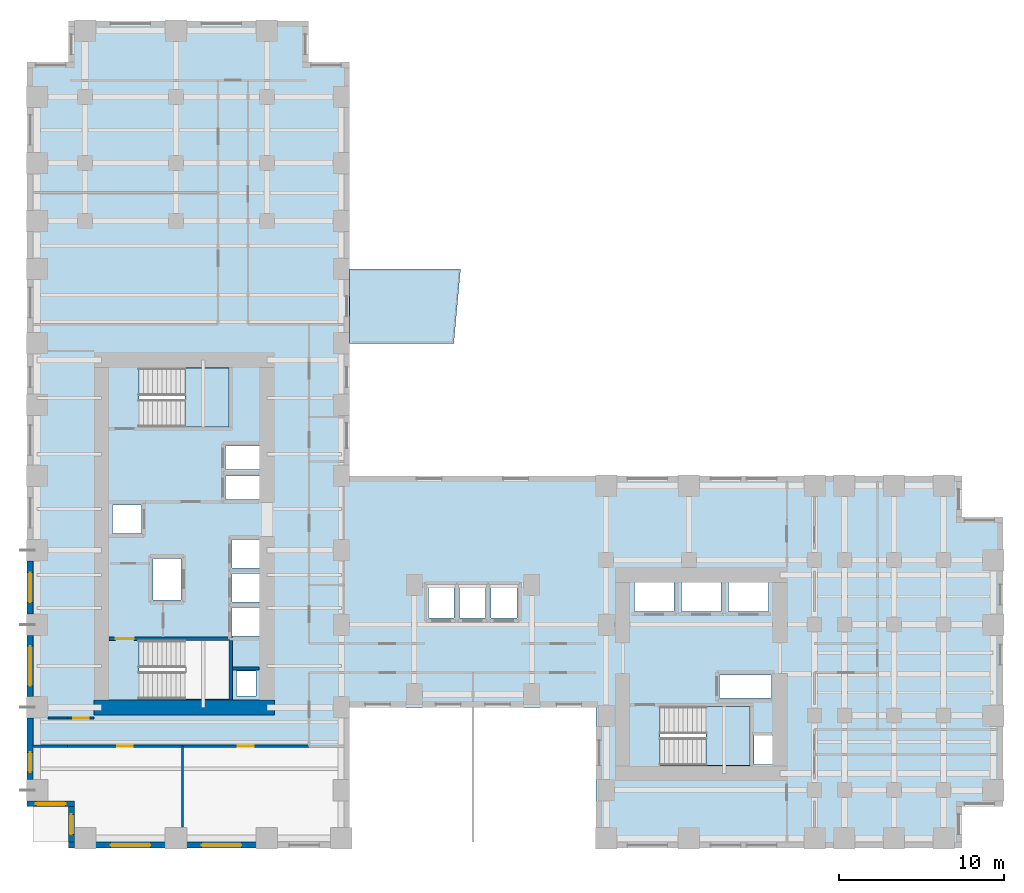
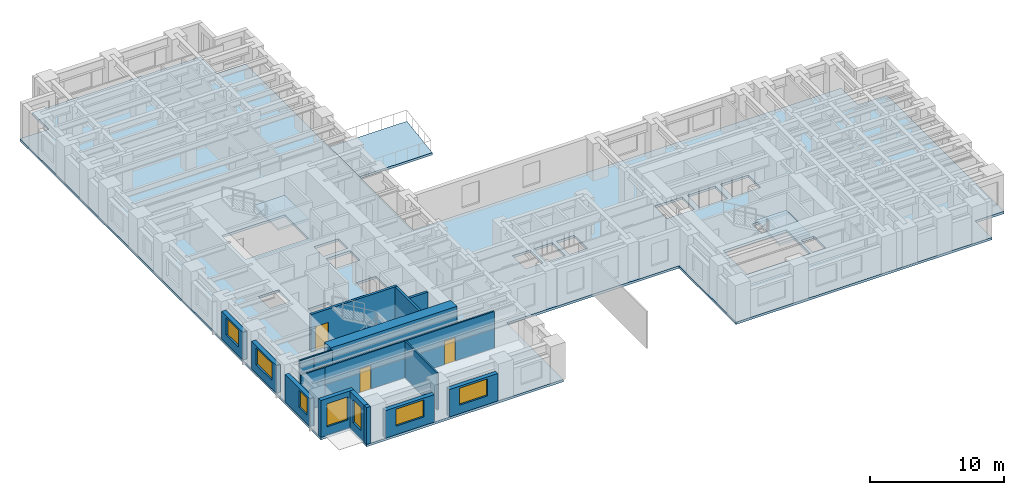
# One storey, part 3 of 11: 18 walls, 7 windows, 4 doors, 4 slabs, 11 openings, 2 elements without a shape of their own.
"""IFC4 building model written with IfcOpenShell, lengths in metres."""

import ifcopenshell
import ifcopenshell.guid

model = None  # the IFC model being written
_history = None  # IfcOwnerHistory: only IFC2X3 demands one
_inside = {}  # id of a spatial element -> (the spatial element, [elements in it])
_under = {}  # id of a project, library or spatial element -> (it, [spatial elements below it])
_declared = {}  # id of a project -> (the project, [libraries it declares])
_typed = {}  # id of a type object -> (the type object, [elements of that type])
_made_of = {}  # id of a material, layer set ... -> (it, [elements and type objects made of it])


def new_model(schema):
    """Start an empty IFC model of exactly this schema.

    Asked for "IFC4X3", IfcOpenShell would pick the latest addendum, in which some entities
    have other attributes; the version numbers below select the first issue.
    IFC2X3 requires an IfcOwnerHistory on every rooted entity: one is made here for all.
    """
    global model, _history
    if schema == "IFC4X3":
        model = ifcopenshell.file(schema_version=(4, 3, 0, 0))
    else:
        model = ifcopenshell.file(schema=schema)
    _inside.clear()
    _under.clear()
    _declared.clear()
    _typed.clear()
    _made_of.clear()
    _history = None
    if model.schema == "IFC2X3":
        org = make("IfcOrganization", Name="unknown")
        user = make(
            "IfcPersonAndOrganization",
            ThePerson=make("IfcPerson", FamilyName="unknown"),
            TheOrganization=org,
        )
        app = make(
            "IfcApplication",
            ApplicationDeveloper=org,
            Version="unknown",
            ApplicationFullName="unknown",
            ApplicationIdentifier="unknown",
        )
        _history = make(
            "IfcOwnerHistory",
            OwningUser=user,
            OwningApplication=app,
            ChangeAction="ADDED",
            CreationDate=0,
        )
    return model


def make(cls, **values):
    """One entity of the class cls with the attributes given. An attribute that is None is left unset."""
    return model.create_entity(
        cls, **{name: value for name, value in values.items() if value is not None}
    )


def rooted(cls, **values):
    """An entity with a GlobalId (a new one), such as an element, a storey or a relation."""
    return make(cls, GlobalId=ifcopenshell.guid.new(), OwnerHistory=_history, **values)


def si_unit(unit_type, name, prefix=None):
    """IfcSIUnit, for example si_unit("LENGTHUNIT", "METRE", prefix="MILLI")."""
    return make("IfcSIUnit", UnitType=unit_type, Prefix=prefix, Name=name)


def assignment(units):
    """IfcUnitAssignment: the units of a project."""
    return None if units is None else make("IfcUnitAssignment", Units=units)


def point(xyz):
    """IfcCartesianPoint."""
    return None if xyz is None else make("IfcCartesianPoint", Coordinates=xyz)


def direction(xyz):
    """IfcDirection."""
    return None if xyz is None else make("IfcDirection", DirectionRatios=xyz)


def frame(location, z_axis=None, x_axis=None):
    """IfcAxis2Placement3D, a coordinate frame: its origin and axes. An axis left out is left unset."""
    return make(
        "IfcAxis2Placement3D",
        Location=point(location),
        Axis=direction(z_axis),
        RefDirection=direction(x_axis),
    )


def frame_2d(location, x_axis=None):
    """IfcAxis2Placement2D, a coordinate frame in the plane: its origin and x axis."""
    return make(
        "IfcAxis2Placement2D", Location=point(location), RefDirection=direction(x_axis)
    )


def origin():
    """The frame at (0, 0, 0) with its axes left unset."""
    return frame((0.0, 0.0, 0.0))


def place(relative_to, where):
    """IfcLocalPlacement: puts the frame where relative to a parent placement (None: the world)."""
    return make(
        "IfcLocalPlacement", PlacementRelTo=relative_to, RelativePlacement=where
    )


def context(
    kind, dimensions, precision=None, world=None, true_north=None, identifier=None
):
    """IfcGeometricRepresentationContext, for example the 3D "Model" context."""
    return make(
        "IfcGeometricRepresentationContext",
        ContextIdentifier=identifier,
        ContextType=kind,
        CoordinateSpaceDimension=dimensions,
        Precision=precision,
        WorldCoordinateSystem=world,
        TrueNorth=true_north,
    )


def subcontext(parent, identifier, kind, view, scale=None):
    """IfcGeometricRepresentationSubContext, for example "Body" below "Model"."""
    return make(
        "IfcGeometricRepresentationSubContext",
        ContextIdentifier=identifier,
        ContextType=kind,
        ParentContext=parent,
        TargetScale=scale,
        TargetView=view,
    )


def project(units=None, contexts=None):
    """IfcProject with its units and contexts."""
    return rooted(
        "IfcProject",
        Name="project",
        RepresentationContexts=contexts,
        UnitsInContext=assignment(units),
    )


def spatial(cls, under=None, at=None, **own):
    """A site, building, storey or space (cls), placed at a placement, below another one or the project."""
    s = rooted(cls, ObjectPlacement=at, **own)
    if under is not None:
        _under.setdefault(under.id(), (under, []))[1].append(s)
    return s


def polyline(points):
    """IfcPolyline through the points."""
    return make("IfcPolyline", Points=[point(p) for p in points])


def profile(cls, at=None, kind="AREA", **sizes):
    """A parametric profile (cls). Its sizes go by their IFC names, for example OverallWidth=200.0."""
    return make(cls, ProfileType=kind, Position=at, **sizes)


def rectangle(**sizes):
    """IfcRectangleProfileDef."""
    return profile("IfcRectangleProfileDef", **sizes)


def outline(outer, holes=None, kind="AREA"):
    """IfcArbitraryClosedProfileDef: a profile drawn as a closed curve; with holes, ...WithVoids."""
    if holes is None:
        return make("IfcArbitraryClosedProfileDef", ProfileType=kind, OuterCurve=outer)
    return make(
        "IfcArbitraryProfileDefWithVoids",
        ProfileType=kind,
        OuterCurve=outer,
        InnerCurves=holes,
    )


def extrude(swept, where, along, depth):
    """IfcExtrudedAreaSolid: the profile swept, set in the frame where, extruded along a direction by depth."""
    return make(
        "IfcExtrudedAreaSolid",
        SweptArea=swept,
        Position=where,
        ExtrudedDirection=direction(along),
        Depth=depth,
    )


def shape(context_of_items, identifier, shape_type, items):
    """IfcShapeRepresentation: the items that make up one representation, for example the "Body"."""
    return make(
        "IfcShapeRepresentation",
        ContextOfItems=context_of_items,
        RepresentationIdentifier=identifier,
        RepresentationType=shape_type,
        Items=items,
    )


def source(mapping_origin, context_of_items, identifier, shape_type, items):
    """IfcRepresentationMap: a shape defined once, which mapped items show again and again."""
    return make(
        "IfcRepresentationMap",
        MappingOrigin=mapping_origin,
        MappedRepresentation=shape(context_of_items, identifier, shape_type, items),
    )


def transform(
    local_origin,
    x_axis=None,
    y_axis=None,
    z_axis=None,
    scale=None,
    scale2=None,
    scale3=None,
    uniform=True,
):
    """IfcCartesianTransformationOperator3D, or its non-uniform kind. x_axis, y_axis, z_axis: its Axis1, 2, 3."""
    if uniform:
        return make(
            "IfcCartesianTransformationOperator3D",
            Axis1=direction(x_axis),
            Axis2=direction(y_axis),
            LocalOrigin=point(local_origin),
            Scale=scale,
            Axis3=direction(z_axis),
        )
    return make(
        "IfcCartesianTransformationOperator3DnonUniform",
        Axis1=direction(x_axis),
        Axis2=direction(y_axis),
        LocalOrigin=point(local_origin),
        Scale=scale,
        Axis3=direction(z_axis),
        Scale2=scale2,
        Scale3=scale3,
    )


def mapped(mapping_source, mapping_target):
    """IfcMappedItem: shows the shape of a source again, moved by a transform."""
    return make(
        "IfcMappedItem", MappingSource=mapping_source, MappingTarget=mapping_target
    )


def material(Name=None, Category=None):
    """IfcMaterial."""
    return make("IfcMaterial", Name=Name, Category=Category)


def layer(
    of_material, thickness, ventilated=None, Name=None, Category=None, Priority=None
):
    """IfcMaterialLayer: one layer of a wall or slab, of a material (None: an air gap)."""
    return make(
        "IfcMaterialLayer",
        Material=of_material,
        LayerThickness=thickness,
        IsVentilated=ventilated,
        Name=Name,
        Category=Category,
        Priority=Priority,
    )


def layer_set(layers, Name=None):
    """IfcMaterialLayerSet."""
    return make("IfcMaterialLayerSet", MaterialLayers=layers, LayerSetName=Name)


def made_of(thing, what):
    """Note that an element or type object is made of a material, layer set ...; save() writes the relation."""
    if what is not None:
        _made_of.setdefault(what.id(), (what, []))[1].append(thing)
    return thing


def type_object(cls, material=None, **own):
    """A type object (cls), such as IfcWallType, which elements share."""
    return made_of(rooted(cls, **own), material)


def element(
    cls,
    number,
    at=None,
    inside=None,
    cuts=None,
    type_object=None,
    material=None,
    context=None,
    identifier="Body",
    shape_type=None,
    held_by="IfcProductDefinitionShape",
    body=None,
    shapes=None,
    **own,
):
    """One element of the class cls, such as IfcWall. Its Tag is "e" and its number.

    at: its placement. inside: the storey or other place that contains it. cuts: it is an
    opening in that element (IfcRelVoidsElement). A single representation is given by context,
    identifier, shape_type and body (its items); several are given by shapes. held_by: the class
    of the entity that holds the representations. save() writes the other relations.
    """
    e = rooted(cls, Tag="e%d" % number, ObjectPlacement=at, **own)
    if body is not None:
        shapes = [shape(context, identifier, shape_type, body)]
    if shapes is not None:
        e.Representation = make(held_by, Representations=shapes)
    if inside is not None:
        _inside.setdefault(inside.id(), (inside, []))[1].append(e)
    if cuts is not None:
        rooted(
            "IfcRelVoidsElement", RelatingBuildingElement=cuts, RelatedOpeningElement=e
        )
    if type_object is not None:
        _typed.setdefault(type_object.id(), (type_object, []))[1].append(e)
    return made_of(e, material)


def fill(opening, filler):
    """IfcRelFillsElement: the door or window that sits in an opening."""
    return rooted(
        "IfcRelFillsElement",
        RelatingOpeningElement=opening,
        RelatedBuildingElement=filler,
    )


def aggregate(whole, parts):
    """IfcRelAggregates: a whole, such as a stair, and the parts it consists of."""
    return rooted("IfcRelAggregates", RelatingObject=whole, RelatedObjects=parts)


def save(model, path):
    """Write the relations noted so far, then the file.

    IfcRelAggregates (storeys below a building ...), IfcRelContainedInSpatialStructure (elements
    in a storey), IfcRelDefinesByType, IfcRelAssociatesMaterial and IfcRelDeclares: one each for
    every whole, place, type object, material and project.
    """
    for whole, parts in _under.values():
        aggregate(whole, parts)
    for where, things in _inside.values():
        rooted(
            "IfcRelContainedInSpatialStructure",
            RelatedElements=things,
            RelatingStructure=where,
        )
    for kind, things in _typed.values():
        rooted("IfcRelDefinesByType", RelatedObjects=things, RelatingType=kind)
    for what, things in _made_of.values():
        rooted("IfcRelAssociatesMaterial", RelatedObjects=things, RelatingMaterial=what)
    for by, libraries in _declared.values():
        rooted("IfcRelDeclares", RelatingContext=by, RelatedDefinitions=libraries)
    model.write(path)


model = new_model("IFC4")

# Units and contexts
model_context = context("Model", 3, precision=1e-05, world=origin(), true_north=direction((0.0, 1.0)))
body_context = subcontext(model_context, "Body", "Model", "MODEL_VIEW")
ifc_project = project(units=[si_unit("LENGTHUNIT", "METRE"), si_unit("AREAUNIT", "SQUARE_METRE"), si_unit("VOLUMEUNIT", "CUBIC_METRE"), si_unit("PLANEANGLEUNIT", "RADIAN"), si_unit("MASSUNIT", "GRAM", prefix="KILO")], contexts=[model_context])

# Site, building, storey
site_placement = place(None, origin())
site = spatial("IfcSite", under=ifc_project, at=site_placement, CompositionType="ELEMENT")
building_placement = place(site_placement, origin())
building = spatial("IfcBuilding", under=site, at=building_placement, Name="Kharzan Plaza Tower", CompositionType="ELEMENT")
storey_placement = place(building_placement, frame((0.0, 0.0, 40.5)))
storey = spatial("IfcBuildingStorey", under=building, at=storey_placement, Name="L10", CompositionType="ELEMENT", Elevation=40.5)

# Slab
ifc_material_1 = material(Name="Concrete C40/50", Category="concrete")
ifc_layer_1 = layer(ifc_material_1, 0.219970703125)
ifc_layer_set_1 = layer_set([ifc_layer_1], Name="Concrete C40/50")
slab_type_1 = type_object("IfcSlabType", Name="SL-FLOOR-220", PredefinedType="FLOOR", material=ifc_layer_set_1)
slab_1_placement = place(storey_placement, frame((0.0, 0.0, -0.219970703125)))
element("IfcSlab", 1, at=slab_1_placement, inside=storey, type_object=slab_type_1, Name="L10 Composite Structural Floor Slab 220 mm", PredefinedType="FLOOR", context=body_context, shape_type="SweptSolid", body=[
    extrude(outline(polyline([(34.39990234375, 22.5), (19.5, 22.5), (19.5, 47.5), (17.0, 47.5), (17.0, 50.0), (2.5, 50.0), (2.5, 47.5), (0.0, 47.5), (0.0, 2.5), (2.5, 2.5), (2.5, 0.0), (19.5, 0.0), (19.5, 8.5), (34.39990234375, 8.5), (34.39990234375, 0.0), (56.5, 0.0), (56.5, 2.5), (59.0, 2.5), (59.0, 20.0), (56.5, 20.0), (56.5, 22.5), (34.39990234375, 22.5)]), holes=[polyline([(13.85009765625, 9.199951171875), (13.85009765625, 10.699951171875), (12.64990234375, 10.699951171875), (12.64990234375, 9.199951171875), (13.85009765625, 9.199951171875)]), polyline([(12.199951171875, 9.0), (12.199951171875, 12.550048828125), (6.75, 12.550048828125), (6.75, 9.0), (12.199951171875, 9.0)]), polyline([(14.10009765625, 12.800048828125), (14.10009765625, 14.530029296875), (12.39990234375, 14.530029296875), (12.39990234375, 12.800048828125), (14.10009765625, 12.800048828125)]), polyline([(14.10009765625, 14.8701171875), (14.10009765625, 16.60009765625), (12.39990234375, 16.60009765625), (12.39990234375, 14.8701171875), (14.10009765625, 14.8701171875)]), polyline([(9.300048828125, 15.0), (9.300048828125, 17.5), (7.60009765625, 17.5), (7.60009765625, 15.0), (9.300048828125, 15.0)]), polyline([(14.10009765625, 16.93994140625), (14.10009765625, 18.64990234375), (12.39990234375, 18.64990234375), (12.39990234375, 16.93994140625), (14.10009765625, 16.93994140625)]), polyline([(6.89990234375, 19.010009765625), (6.89990234375, 20.72998046875), (5.14990234375, 20.72998046875), (5.14990234375, 19.010009765625), (6.89990234375, 19.010009765625)]), polyline([(12.0, 21.070068359375), (14.10009765625, 21.070068359375), (14.10009765625, 22.489990234375), (12.0, 22.489990234375), (12.0, 21.070068359375)]), polyline([(12.0, 22.8701171875), (14.10009765625, 22.8701171875), (14.10009765625, 24.2900390625), (12.0, 24.2900390625), (12.0, 22.8701171875)]), polyline([(12.199951171875, 25.449951171875), (12.199951171875, 29.0), (6.75, 29.0), (6.75, 25.449951171875), (12.199951171875, 25.449951171875)]), polyline([(45.050048828125, 5.050048828125), (45.050048828125, 6.800048828125), (43.949951171875, 6.800048828125), (43.949951171875, 5.050048828125), (45.050048828125, 5.050048828125)]), polyline([(43.699951171875, 5.0), (43.699951171875, 8.550048828125), (38.25, 8.550048828125), (38.25, 5.0), (43.699951171875, 5.0)]), polyline([(41.85009765625, 9.070068359375), (45.0, 9.070068359375), (45.0, 10.469970703125), (41.85009765625, 10.469970703125), (41.85009765625, 9.070068359375)]), polyline([(24.25, 13.89990234375), (25.800048828125, 13.89990234375), (25.800048828125, 15.85009765625), (24.25, 15.85009765625), (24.25, 13.89990234375)]), polyline([(27.699951171875, 13.89990234375), (27.699951171875, 15.85009765625), (26.14990234375, 15.85009765625), (26.14990234375, 13.89990234375), (27.699951171875, 13.89990234375)]), polyline([(29.60009765625, 13.89990234375), (29.60009765625, 15.85009765625), (28.050048828125, 15.85009765625), (28.050048828125, 13.89990234375), (29.60009765625, 13.89990234375)]), polyline([(39.10009765625, 14.300048828125), (39.10009765625, 16.14990234375), (36.699951171875, 16.14990234375), (36.699951171875, 14.300048828125), (39.10009765625, 14.300048828125)]), polyline([(39.550048828125, 14.300048828125), (41.949951171875, 14.300048828125), (41.949951171875, 16.14990234375), (39.550048828125, 16.14990234375), (39.550048828125, 14.300048828125)]), polyline([(42.39990234375, 14.300048828125), (44.800048828125, 14.300048828125), (44.800048828125, 16.14990234375), (42.39990234375, 16.14990234375), (42.39990234375, 14.300048828125)])]), origin(), (0.0, 0.0, 1.0), 0.219970703125),
])

# Stair, slab
stair_type_1 = type_object("IfcStairType", Name="STR-ST-2", PredefinedType="HALF_TURN_STAIR", material=ifc_material_1)
stair_1_placement = place(storey_placement, origin())
stair_1 = element("IfcStair", 2, at=stair_1_placement, inside=storey, type_object=stair_type_1, Name="L10 Protected Exit Stair ST-2", PredefinedType="HALF_TURN_STAIR")
ifc_layer_2 = layer(ifc_material_1, 0.219970703125)
ifc_layer_set_2 = layer_set([ifc_layer_2], Name="Concrete C40/50")
slab_type_2 = type_object("IfcSlabType", Name="SL-LANDING-220", PredefinedType="LANDING", material=ifc_layer_set_2)
slab_2_placement = place(storey_placement, frame((0.0, 0.0, 1.60009765625)))
slab_2 = element("IfcSlab", 3, at=slab_2_placement, type_object=slab_type_2, Name="ST-2 landing 1", PredefinedType="LANDING", context=body_context, shape_type="SweptSolid", body=[
    extrude(outline(polyline([(9.550048828125, 25.449951171875), (12.199951171875, 25.449951171875), (12.199951171875, 29.0), (9.550048828125, 29.0), (9.550048828125, 25.449951171875)])), origin(), (0.0, 0.0, 1.0), 0.199951171875),
])
aggregate(stair_1, [slab_2])

stair_type_2 = type_object("IfcStairType", Name="STR-ST-3", PredefinedType="HALF_TURN_STAIR", material=ifc_material_1)
stair_2_placement = place(storey_placement, origin())
stair_2 = element("IfcStair", 4, at=stair_2_placement, inside=storey, type_object=stair_type_2, Name="L10 Protected Exit Stair ST-3", PredefinedType="HALF_TURN_STAIR")
slab_3_placement = place(storey_placement, frame((0.0, 0.0, 1.60009765625)))
slab_3 = element("IfcSlab", 5, at=slab_3_placement, type_object=slab_type_2, Name="ST-3 landing 1", PredefinedType="LANDING", context=body_context, shape_type="SweptSolid", body=[
    extrude(outline(polyline([(41.050048828125, 5.0), (43.699951171875, 5.0), (43.699951171875, 8.550048828125), (41.050048828125, 8.550048828125), (41.050048828125, 5.0)])), origin(), (0.0, 0.0, 1.0), 0.199951171875),
])
aggregate(stair_2, [slab_3])

# Slab
ifc_layer_3 = layer(ifc_material_1, 0.215087890625)
ifc_layer_set_3 = layer_set([ifc_layer_3], Name="Concrete C40/50")
slab_type_3 = type_object("IfcSlabType", Name="SL-TRAY-215", PredefinedType="ROOF", material=ifc_layer_set_3)
slab_4_placement = place(storey_placement, frame((0.0, 0.0, -0.215087890625)))
element("IfcSlab", 6, at=slab_4_placement, inside=storey, type_object=slab_type_3, Name="L10 Sky Terrace Tray Slab", PredefinedType="ROOF", context=body_context, shape_type="SweptSolid", body=[
    extrude(outline(polyline([(19.5, 30.5), (25.7900390625, 30.5), (26.199951171875, 35.0), (19.5, 35.0), (19.5, 30.5)])), origin(), (0.0, 0.0, 1.0), 0.215087890625),
])

# Wall, opening, window
ifc_layer_4 = layer(ifc_material_1, 0.35009765625)
ifc_layer_set_4 = layer_set([ifc_layer_4], Name="Concrete C40/50")
wall_type_1 = type_object("IfcWallType", Name="WL-EXT-MAS-Z1", PredefinedType="SOLIDWALL", material=ifc_layer_set_4)
wall_1_placement = place(storey_placement, frame((0.175048828125, 17.35205078125, 0.0), z_axis=(0.0, 0.0, 1.0), x_axis=(0.0, -1.0, 0.0)))
wall_1 = element("IfcWall", 7, at=wall_1_placement, inside=storey, type_object=wall_type_1, Name="L10 Masonry-Frame Exterior Wall 17", PredefinedType="SOLIDWALL", context=body_context, shape_type="SweptSolid", body=[
    extrude(rectangle(XDim=3.2041015625, YDim=0.35009765625, at=frame_2d((1.60205078125, 0.0))), origin(), (0.0, 0.0, 1.0), 2.510009765625),
])
opening_1_placement = place(wall_1_placement, frame((0.701904296875, 0.0, 0.780029296875)))
opening_1 = element("IfcOpeningElement", 8, at=opening_1_placement, cuts=wall_1, Name="Opening W1", PredefinedType="OPENING", context=body_context, shape_type="SweptSolid", body=[
    extrude(rectangle(XDim=1.800048828125, YDim=1.550048828125, at=frame_2d((0.89990234375, 0.77490234375))), frame((0.0, 0.18505859375, 0.0), z_axis=(0.0, -1.0, 0.0), x_axis=(1.0, 0.0, 0.0)), (0.0, 0.0, 1.0), 0.3701171875),
])
ifc_material_2 = material(Name="Low-E Double Glazing", Category="glass")
window_type_1 = type_object("IfcWindowType", Name="WN-REC-1800x2100", PartitioningType="SINGLE_PANEL", PredefinedType="WINDOW", material=ifc_material_2)
shared_shape_1 = source(origin(), body_context, "Body", "SweptSolid", [
    extrude(rectangle(XDim=1.800048828125, YDim=1.550048828125, at=frame_2d((0.89990234375, 0.77490234375))), frame((0.0, 0.030029296875, 0.0), z_axis=(0.0, -1.0, 0.0), x_axis=(1.0, 0.0, 0.0)), (0.0, 0.0, 1.0), 0.06005859375),
])
window_1_placement = place(opening_1_placement, origin())
window_1 = element("IfcWindow", 9, at=window_1_placement, inside=storey, type_object=window_type_1, Name="L10 Recessed Solar-Control Window 17-1", OverallHeight=1.550048828125, OverallWidth=1.800048828125, PartitioningType="SINGLE_PANEL", PredefinedType="WINDOW", context=body_context, shape_type="MappedRepresentation", body=[
    mapped(shared_shape_1, transform((0.0, 0.0, 0.0), x_axis=(1.0, 0.0, 0.0), y_axis=(0.0, 1.0, 0.0), z_axis=(0.0, 0.0, 1.0))),
])
fill(opening_1, window_1)

wall_2_placement = place(storey_placement, frame((0.175048828125, 12.85205078125, 0.0), z_axis=(0.0, 0.0, 1.0), x_axis=(0.0, -1.0, 0.0)))
wall_2 = element("IfcWall", 10, at=wall_2_placement, inside=storey, type_object=wall_type_1, Name="L10 Masonry-Frame Exterior Wall 18", PredefinedType="SOLIDWALL", context=body_context, shape_type="SweptSolid", body=[
    extrude(rectangle(XDim=3.7041015625, YDim=0.35009765625, at=frame_2d((1.85205078125, 0.0))), origin(), (0.0, 0.0, 1.0), 2.510009765625),
])
opening_2_placement = place(wall_2_placement, frame((0.652099609375, 0.0, 0.780029296875)))
opening_2 = element("IfcOpeningElement", 11, at=opening_2_placement, cuts=wall_2, Name="Opening W2", PredefinedType="OPENING", context=body_context, shape_type="SweptSolid", body=[
    extrude(rectangle(XDim=2.39990234375, YDim=1.550048828125, at=frame_2d((1.199951171875, 0.77490234375))), frame((0.0, 0.18505859375, 0.0), z_axis=(0.0, -1.0, 0.0), x_axis=(1.0, 0.0, 0.0)), (0.0, 0.0, 1.0), 0.3701171875),
])
window_type_2 = type_object("IfcWindowType", Name="WN-REC-2400x2100", PartitioningType="SINGLE_PANEL", PredefinedType="WINDOW", material=ifc_material_2)
shared_shape_2 = source(origin(), body_context, "Body", "SweptSolid", [
    extrude(rectangle(XDim=2.39990234375, YDim=1.550048828125, at=frame_2d((1.199951171875, 0.77490234375))), frame((0.0, 0.030029296875, 0.0), z_axis=(0.0, -1.0, 0.0), x_axis=(1.0, 0.0, 0.0)), (0.0, 0.0, 1.0), 0.06005859375),
])
window_2_placement = place(opening_2_placement, origin())
window_2 = element("IfcWindow", 12, at=window_2_placement, inside=storey, type_object=window_type_2, Name="L10 Wide Recessed Solar-Control Window 18-1", OverallHeight=1.550048828125, OverallWidth=2.39990234375, PartitioningType="SINGLE_PANEL", PredefinedType="WINDOW", context=body_context, shape_type="MappedRepresentation", body=[
    mapped(shared_shape_2, transform((0.0, 0.0, 0.0), x_axis=(1.0, 0.0, 0.0), y_axis=(0.0, 1.0, 0.0), z_axis=(0.0, 0.0, 1.0))),
])
fill(opening_2, window_2)

wall_3_placement = place(storey_placement, frame((0.175048828125, 7.85205078125, 0.0), z_axis=(0.0, 0.0, 1.0), x_axis=(0.0, -1.0, 0.0)))
wall_3 = element("IfcWall", 13, at=wall_3_placement, inside=storey, type_object=wall_type_1, Name="L10 Masonry-Frame Exterior Wall 19", PredefinedType="SOLIDWALL", context=body_context, shape_type="SweptSolid", body=[
    extrude(rectangle(XDim=3.7041015625, YDim=0.35009765625, at=frame_2d((1.85205078125, 0.0))), origin(), (0.0, 0.0, 1.0), 2.510009765625),
])
opening_3_placement = place(wall_3_placement, frame((2.068115234375, 0.0, 0.780029296875)))
opening_3 = element("IfcOpeningElement", 14, at=opening_3_placement, cuts=wall_3, Name="Opening W3", PredefinedType="OPENING", context=body_context, shape_type="SweptSolid", body=[
    extrude(rectangle(XDim=1.199951171875, YDim=1.550048828125, at=frame_2d((0.60009765625, 0.77490234375))), frame((0.0, 0.18505859375, 0.0), z_axis=(0.0, -1.0, 0.0), x_axis=(1.0, 0.0, 0.0)), (0.0, 0.0, 1.0), 0.3701171875),
])
window_type_3 = type_object("IfcWindowType", Name="WN-REC-1200x2100", PartitioningType="SINGLE_PANEL", PredefinedType="WINDOW", material=ifc_material_2)
shared_shape_3 = source(origin(), body_context, "Body", "SweptSolid", [
    extrude(rectangle(XDim=1.199951171875, YDim=1.550048828125, at=frame_2d((0.60009765625, 0.77490234375))), frame((0.0, 0.030029296875, 0.0), z_axis=(0.0, -1.0, 0.0), x_axis=(1.0, 0.0, 0.0)), (0.0, 0.0, 1.0), 0.06005859375),
])
window_3_placement = place(opening_3_placement, origin())
window_3 = element("IfcWindow", 15, at=window_3_placement, inside=storey, type_object=window_type_3, Name="L10 Recessed Solar-Control Window 19-1", OverallHeight=1.550048828125, OverallWidth=1.199951171875, PartitioningType="SINGLE_PANEL", PredefinedType="WINDOW", context=body_context, shape_type="MappedRepresentation", body=[
    mapped(shared_shape_3, transform((0.0, 0.0, 0.0), x_axis=(1.0, 0.0, 0.0), y_axis=(0.0, 1.0, 0.0), z_axis=(0.0, 0.0, 1.0))),
])
fill(opening_3, window_3)

wall_4_placement = place(storey_placement, frame((0.0, 2.675048828125, 0.0), z_axis=(0.0, 0.0, 1.0), x_axis=(1.0, 0.0, 0.0)))
wall_4 = element("IfcWall", 16, at=wall_4_placement, inside=storey, type_object=wall_type_1, Name="L10 Masonry-Frame Exterior Wall 20", PredefinedType="SOLIDWALL", context=body_context, shape_type="SweptSolid", body=[
    extrude(rectangle(XDim=2.85009765625, YDim=0.35009765625, at=frame_2d((1.425048828125, 0.0))), origin(), (0.0, 0.0, 1.0), 3.364990234375),
])
opening_4_placement = place(wall_4_placement, frame((0.52490234375, 0.0, 0.780029296875)))
opening_4 = element("IfcOpeningElement", 17, at=opening_4_placement, cuts=wall_4, Name="Opening W1", PredefinedType="OPENING", context=body_context, shape_type="SweptSolid", body=[
    extrude(rectangle(XDim=1.800048828125, YDim=2.10009765625, at=frame_2d((0.89990234375, 1.050048828125))), frame((0.0, 0.18505859375, 0.0), z_axis=(0.0, -1.0, 0.0), x_axis=(1.0, 0.0, 0.0)), (0.0, 0.0, 1.0), 0.3701171875),
])
shared_shape_4 = source(origin(), body_context, "Body", "SweptSolid", [
    extrude(rectangle(XDim=1.800048828125, YDim=2.10009765625, at=frame_2d((0.89990234375, 1.050048828125))), frame((0.0, 0.030029296875, 0.0), z_axis=(0.0, -1.0, 0.0), x_axis=(1.0, 0.0, 0.0)), (0.0, 0.0, 1.0), 0.06005859375),
])
window_4_placement = place(opening_4_placement, origin())
window_4 = element("IfcWindow", 18, at=window_4_placement, inside=storey, type_object=window_type_1, Name="L10 Recessed Solar-Control Window 20-1", OverallHeight=2.10009765625, OverallWidth=1.800048828125, PartitioningType="SINGLE_PANEL", PredefinedType="WINDOW", context=body_context, shape_type="MappedRepresentation", body=[
    mapped(shared_shape_4, transform((0.0, 0.0, 0.0), x_axis=(1.0, 0.0, 0.0), y_axis=(0.0, 1.0, 0.0), z_axis=(0.0, 0.0, 1.0))),
])
fill(opening_4, window_4)

wall_5_placement = place(storey_placement, frame((2.675048828125, 2.501953125, 0.0), z_axis=(0.0, 0.0, 1.0), x_axis=(0.0, -1.0, 0.0)))
wall_5 = element("IfcWall", 19, at=wall_5_placement, inside=storey, type_object=wall_type_1, Name="L10 Masonry-Frame Exterior Wall 21", PredefinedType="SOLIDWALL", context=body_context, shape_type="SweptSolid", body=[
    extrude(rectangle(XDim=2.154052734375, YDim=0.35009765625, at=frame_2d((1.0771484375, 0.0))), origin(), (0.0, 0.0, 1.0), 3.364990234375),
])
opening_5_placement = place(wall_5_placement, frame((0.47705078125, 0.0, 0.780029296875)))
opening_5 = element("IfcOpeningElement", 20, at=opening_5_placement, cuts=wall_5, Name="Opening W3", PredefinedType="OPENING", context=body_context, shape_type="SweptSolid", body=[
    extrude(rectangle(XDim=1.199951171875, YDim=2.10009765625, at=frame_2d((0.60009765625, 1.050048828125))), frame((0.0, 0.18505859375, 0.0), z_axis=(0.0, -1.0, 0.0), x_axis=(1.0, 0.0, 0.0)), (0.0, 0.0, 1.0), 0.3701171875),
])
shared_shape_5 = source(origin(), body_context, "Body", "SweptSolid", [
    extrude(rectangle(XDim=1.199951171875, YDim=2.10009765625, at=frame_2d((0.60009765625, 1.050048828125))), frame((0.0, 0.030029296875, 0.0), z_axis=(0.0, -1.0, 0.0), x_axis=(1.0, 0.0, 0.0)), (0.0, 0.0, 1.0), 0.06005859375),
])
window_5_placement = place(opening_5_placement, origin())
window_5 = element("IfcWindow", 21, at=window_5_placement, inside=storey, type_object=window_type_3, Name="L10 Recessed Solar-Control Window 21-1", OverallHeight=2.10009765625, OverallWidth=1.199951171875, PartitioningType="SINGLE_PANEL", PredefinedType="WINDOW", context=body_context, shape_type="MappedRepresentation", body=[
    mapped(shared_shape_5, transform((0.0, 0.0, 0.0), x_axis=(1.0, 0.0, 0.0), y_axis=(0.0, 1.0, 0.0), z_axis=(0.0, 0.0, 1.0))),
])
fill(opening_5, window_5)

wall_6_placement = place(storey_placement, frame((4.14794921875, 0.175048828125, 0.0), z_axis=(0.0, 0.0, 1.0), x_axis=(1.0, 0.0, 0.0)))
wall_6 = element("IfcWall", 22, at=wall_6_placement, inside=storey, type_object=wall_type_1, Name="L10 Masonry-Frame Exterior Wall 23", PredefinedType="SOLIDWALL", context=body_context, shape_type="SweptSolid", body=[
    extrude(rectangle(XDim=4.2041015625, YDim=0.35009765625, at=frame_2d((2.10205078125, 0.0))), origin(), (0.0, 0.0, 1.0), 2.510009765625),
])
opening_6_placement = place(wall_6_placement, frame((0.902099609375, 0.0, 0.780029296875)))
opening_6 = element("IfcOpeningElement", 23, at=opening_6_placement, cuts=wall_6, Name="Opening W2", PredefinedType="OPENING", context=body_context, shape_type="SweptSolid", body=[
    extrude(rectangle(XDim=2.39990234375, YDim=1.550048828125, at=frame_2d((1.199951171875, 0.77490234375))), frame((0.0, 0.18505859375, 0.0), z_axis=(0.0, -1.0, 0.0), x_axis=(1.0, 0.0, 0.0)), (0.0, 0.0, 1.0), 0.3701171875),
])
window_6_placement = place(opening_6_placement, origin())
window_6 = element("IfcWindow", 24, at=window_6_placement, inside=storey, type_object=window_type_2, Name="L10 Wide Recessed Solar-Control Window 23-1", OverallHeight=1.550048828125, OverallWidth=2.39990234375, PartitioningType="SINGLE_PANEL", PredefinedType="WINDOW", context=body_context, shape_type="MappedRepresentation", body=[
    mapped(shared_shape_2, transform((0.0, 0.0, 0.0), x_axis=(1.0, 0.0, 0.0), y_axis=(0.0, 1.0, 0.0), z_axis=(0.0, 0.0, 1.0))),
])
fill(opening_6, window_6)

wall_7_placement = place(storey_placement, frame((9.64794921875, 0.175048828125, 0.0), z_axis=(0.0, 0.0, 1.0), x_axis=(1.0, 0.0, 0.0)))
wall_7 = element("IfcWall", 25, at=wall_7_placement, inside=storey, type_object=wall_type_1, Name="L10 Masonry-Frame Exterior Wall 24", PredefinedType="SOLIDWALL", context=body_context, shape_type="SweptSolid", body=[
    extrude(rectangle(XDim=4.2041015625, YDim=0.35009765625, at=frame_2d((2.10205078125, 0.0))), origin(), (0.0, 0.0, 1.0), 2.510009765625),
])
opening_7_placement = place(wall_7_placement, frame((0.902099609375, 0.0, 0.780029296875)))
opening_7 = element("IfcOpeningElement", 26, at=opening_7_placement, cuts=wall_7, Name="Opening W2", PredefinedType="OPENING", context=body_context, shape_type="SweptSolid", body=[
    extrude(rectangle(XDim=2.39990234375, YDim=1.550048828125, at=frame_2d((1.199951171875, 0.77490234375))), frame((0.0, 0.18505859375, 0.0), z_axis=(0.0, -1.0, 0.0), x_axis=(1.0, 0.0, 0.0)), (0.0, 0.0, 1.0), 0.3701171875),
])
window_7_placement = place(opening_7_placement, origin())
window_7 = element("IfcWindow", 27, at=window_7_placement, inside=storey, type_object=window_type_2, Name="L10 Wide Recessed Solar-Control Window 24-1", OverallHeight=1.550048828125, OverallWidth=2.39990234375, PartitioningType="SINGLE_PANEL", PredefinedType="WINDOW", context=body_context, shape_type="MappedRepresentation", body=[
    mapped(shared_shape_2, transform((0.0, 0.0, 0.0), x_axis=(1.0, 0.0, 0.0), y_axis=(0.0, 1.0, 0.0), z_axis=(0.0, 0.0, 1.0))),
])
fill(opening_7, window_7)

# Wall, opening, door
ifc_material_3 = material(Name="Fire-Rated Gypsum Board Partition", Category="gypsum")
ifc_layer_5 = layer(ifc_material_3, 0.125)
ifc_layer_set_5 = layer_set([ifc_layer_5], Name="Fire-Rated Gypsum Board Partition")
wall_type_2 = type_object("IfcWallType", Name="WL-INT-PART-125", PredefinedType="PARTITIONING", material=ifc_layer_set_5)
wall_8_placement = place(storey_placement, frame((2.449951171875, 7.85009765625, 0.0), z_axis=(0.0, 0.0, 1.0), x_axis=(1.0, 0.0, 0.0)))
wall_8 = element("IfcWall", 28, at=wall_8_placement, inside=storey, type_object=wall_type_2, Name="L10 Interior Partition SH-RWSD", PredefinedType="PARTITIONING", context=body_context, shape_type="SweptSolid", body=[
    extrude(rectangle(XDim=1.60009765625, YDim=0.125, at=frame_2d((0.800048828125, 0.0))), origin(), (0.0, 0.0, 1.0), 3.364990234375),
])
opening_8_placement = place(wall_8_placement, frame((0.324951171875, 0.0, 0.0)))
opening_8 = element("IfcOpeningElement", 29, at=opening_8_placement, cuts=wall_8, Name="Opening OD1", PredefinedType="OPENING", context=body_context, shape_type="SweptSolid", body=[
    extrude(rectangle(XDim=0.949951171875, YDim=2.14990234375, at=frame_2d((0.47509765625, 1.074951171875))), frame((0.0, 0.072509765625, 0.0), z_axis=(0.0, -1.0, 0.0), x_axis=(1.0, 0.0, 0.0)), (0.0, 0.0, 1.0), 0.14501953125),
])
ifc_material_4 = material(Name="Acoustic Solid-Core Stained Oak", Category="timber")
door_type_1 = type_object("IfcDoorType", Name="DR-OFF-SINGLE", OperationType="NOTDEFINED", PredefinedType="DOOR", material=ifc_material_4)
shared_shape_6 = source(origin(), body_context, "Body", "SweptSolid", [
    extrude(rectangle(XDim=0.949951171875, YDim=2.14990234375, at=frame_2d((0.47509765625, 1.074951171875))), frame((0.0, 0.02490234375, 0.0), z_axis=(0.0, -1.0, 0.0), x_axis=(1.0, 0.0, 0.0)), (0.0, 0.0, 1.0), 0.050048828125),
])
door_1_placement = place(opening_8_placement, origin())
door_1 = element("IfcDoor", 30, at=door_1_placement, inside=storey, type_object=door_type_1, Name="L10 West Studio South Door", OperationType="SINGLE_SWING_LEFT", OverallHeight=2.14990234375, OverallWidth=0.949951171875, PredefinedType="DOOR", context=body_context, shape_type="MappedRepresentation", body=[
    mapped(shared_shape_6, transform((0.0, 0.0, 0.0), x_axis=(1.0, 0.0, 0.0), y_axis=(0.0, 1.0, 0.0), z_axis=(0.0, 0.0, 1.0))),
])
fill(opening_8, door_1)

wall_9_placement = place(storey_placement, frame((2.449951171875, 6.14990234375, 0.0), z_axis=(0.0, 0.0, 1.0), x_axis=(1.0, 0.0, 0.0)))
wall_9 = element("IfcWall", 31, at=wall_9_placement, inside=storey, type_object=wall_type_2, Name="L10 Interior Partition SH-SS-1", PredefinedType="PARTITIONING", context=body_context, shape_type="SweptSolid", body=[
    extrude(rectangle(XDim=6.93505859375, YDim=0.125, at=frame_2d((3.467529296875, 0.0))), origin(), (0.0, 0.0, 1.0), 3.364990234375),
])
opening_9_placement = place(wall_9_placement, frame((2.992431640625, 0.0, 0.0)))
opening_9 = element("IfcOpeningElement", 32, at=opening_9_placement, cuts=wall_9, Name="Opening OD1", PredefinedType="OPENING", context=body_context, shape_type="SweptSolid", body=[
    extrude(rectangle(XDim=0.949951171875, YDim=2.14990234375, at=frame_2d((0.47509765625, 1.074951171875))), frame((0.0, 0.072509765625, 0.0), z_axis=(0.0, -1.0, 0.0), x_axis=(1.0, 0.0, 0.0)), (0.0, 0.0, 1.0), 0.14501953125),
])
door_2_placement = place(opening_9_placement, origin())
door_2 = element("IfcDoor", 33, at=door_2_placement, inside=storey, type_object=door_type_1, Name="L10 Treasury Operations Office Door", OperationType="SINGLE_SWING_RIGHT", OverallHeight=2.14990234375, OverallWidth=0.949951171875, PredefinedType="DOOR", context=body_context, shape_type="MappedRepresentation", body=[
    mapped(shared_shape_6, transform((0.0, 0.0, 0.0), x_axis=(1.0, 0.0, 0.0), y_axis=(0.0, 1.0, 0.0), z_axis=(0.0, 0.0, 1.0))),
])
fill(opening_9, door_2)

wall_10_placement = place(storey_placement, frame((9.385009765625, 6.14990234375, 0.0), z_axis=(0.0, 0.0, 1.0), x_axis=(1.0, 0.0, 0.0)))
wall_10 = element("IfcWall", 34, at=wall_10_placement, inside=storey, type_object=wall_type_2, Name="L10 Interior Partition SH-SS-2", PredefinedType="PARTITIONING", context=body_context, shape_type="SweptSolid", body=[
    extrude(rectangle(XDim=7.6650390625, YDim=0.125, at=frame_2d((3.83251953125, 0.0))), origin(), (0.0, 0.0, 1.0), 3.364990234375),
])
opening_10_placement = place(wall_10_placement, frame((3.357421875, 0.0, 0.0)))
opening_10 = element("IfcOpeningElement", 35, at=opening_10_placement, cuts=wall_10, Name="Opening OD1", PredefinedType="OPENING", context=body_context, shape_type="SweptSolid", body=[
    extrude(rectangle(XDim=0.949951171875, YDim=2.14990234375, at=frame_2d((0.47509765625, 1.074951171875))), frame((0.0, 0.072509765625, 0.0), z_axis=(0.0, -1.0, 0.0), x_axis=(1.0, 0.0, 0.0)), (0.0, 0.0, 1.0), 0.14501953125),
])
door_3_placement = place(opening_10_placement, origin())
door_3 = element("IfcDoor", 36, at=door_3_placement, inside=storey, type_object=door_type_1, Name="L10 Executive Conference Room Door", OperationType="SINGLE_SWING_LEFT", OverallHeight=2.14990234375, OverallWidth=0.949951171875, PredefinedType="DOOR", context=body_context, shape_type="MappedRepresentation", body=[
    mapped(shared_shape_6, transform((0.0, 0.0, 0.0), x_axis=(1.0, 0.0, 0.0), y_axis=(0.0, 1.0, 0.0), z_axis=(0.0, 0.0, 1.0))),
])
fill(opening_10, door_3)

ifc_material_5 = material(Name="Concrete C50/60", Category="concrete")
ifc_layer_6 = layer(ifc_material_5, 0.199951171875)
ifc_layer_set_6 = layer_set([ifc_layer_6], Name="Concrete C50/60")
wall_type_3 = type_object("IfcWallType", Name="WL-SHAFT-RC200", PredefinedType="SHEAR", material=ifc_layer_set_6)
wall_11_placement = place(storey_placement, frame((4.951904296875, 12.655029296875, 0.0), z_axis=(0.0, 0.0, 1.0), x_axis=(1.0, 0.0, 0.0)))
wall_11 = element("IfcWall", 37, at=wall_11_placement, inside=storey, type_object=wall_type_3, Name="L10 Stair ST-1 North RC Shaft Wall", PredefinedType="SHEAR", context=body_context, shape_type="SweptSolid", body=[
    extrude(rectangle(XDim=7.453125, YDim=0.199951171875, at=frame_2d((3.7265625, 0.0))), origin(), (0.0, 0.0, 1.0), 3.3798828125),
])
opening_11_placement = place(wall_11_placement, frame((0.39990234375, 0.0, 0.0)))
opening_11 = element("IfcOpeningElement", 38, at=opening_11_placement, cuts=wall_11, Name="Opening SD1", PredefinedType="OPENING", context=body_context, shape_type="SweptSolid", body=[
    extrude(rectangle(XDim=1.10009765625, YDim=2.14990234375, at=frame_2d((0.550048828125, 1.074951171875))), frame((0.0, 0.10986328125, 0.0), z_axis=(0.0, -1.0, 0.0), x_axis=(1.0, 0.0, 0.0)), (0.0, 0.0, 1.0), 0.219970703125),
])
ifc_material_6 = material(Name="Fire-Rated Hollow Galvanized Steel", Category="steel")
door_type_2 = type_object("IfcDoorType", Name="DR-STAIR-FD120", OperationType="NOTDEFINED", PredefinedType="DOOR", material=ifc_material_6)
shared_shape_7 = source(origin(), body_context, "Body", "SweptSolid", [
    extrude(rectangle(XDim=1.10009765625, YDim=2.14990234375, at=frame_2d((0.550048828125, 1.074951171875))), frame((0.0, 0.02490234375, 0.0), z_axis=(0.0, -1.0, 0.0), x_axis=(1.0, 0.0, 0.0)), (0.0, 0.0, 1.0), 0.050048828125),
])
door_4_placement = place(opening_11_placement, origin())
door_4 = element("IfcDoor", 39, at=door_4_placement, inside=storey, type_object=door_type_2, Name="L10 Stair ST-1 Fire Exit Door", OperationType="SINGLE_SWING_LEFT", OverallHeight=2.14990234375, OverallWidth=1.10009765625, PredefinedType="DOOR", context=body_context, shape_type="MappedRepresentation", body=[
    mapped(shared_shape_7, transform((0.0, 0.0, 0.0), x_axis=(1.0, 0.0, 0.0), y_axis=(0.0, 1.0, 0.0), z_axis=(0.0, 0.0, 1.0))),
])
fill(opening_11, door_4)

# Walls
ifc_material_7 = material(Name="Concrete C60/75", Category="concrete")
ifc_layer_7 = layer(ifc_material_7, 0.89990234375)
ifc_layer_set_7 = layer_set([ifc_layer_7], Name="Concrete C60/75")
wall_type_4 = type_object("IfcWallType", Name="WL-CORE-900", PredefinedType="SHEAR", material=ifc_layer_set_7)
shared_shape_8 = source(origin(), body_context, "Body", "SweptSolid", [
    extrude(rectangle(XDim=10.89990234375, YDim=0.89990234375, at=frame_2d((5.449951171875, 0.0))), origin(), (0.0, 0.0, 1.0), 3.3798828125),
])
wall_12_placement = place(storey_placement, frame((4.050048828125, 8.5, 0.0), z_axis=(0.0, 0.0, 1.0), x_axis=(1.0, 0.0, 0.0)))
element("IfcWall", 40, at=wall_12_placement, inside=storey, type_object=wall_type_4, Name="L10 CORE-A south RC shear wall", PredefinedType="SHEAR", context=body_context, shape_type="MappedRepresentation", body=[
    mapped(shared_shape_8, transform((0.0, 0.0, 0.0), x_axis=(1.0, 0.0, 0.0), y_axis=(0.0, 1.0, 0.0), z_axis=(0.0, 0.0, 1.0))),
])
shared_shape_9 = source(origin(), body_context, "Body", "SweptSolid", [
    extrude(rectangle(XDim=0.35205078125, YDim=0.35009765625, at=frame_2d((0.176025390625, 0.0))), origin(), (0.0, 0.0, 1.0), 3.364990234375),
])
wall_13_placement = place(storey_placement, frame((2.5, 0.175048828125, 0.0), z_axis=(0.0, 0.0, 1.0), x_axis=(1.0, 0.0, 0.0)))
element("IfcWall", 41, at=wall_13_placement, inside=storey, type_object=wall_type_1, Name="L10 Masonry-Frame Exterior Wall 22", PredefinedType="SOLIDWALL", context=body_context, shape_type="MappedRepresentation", body=[
    mapped(shared_shape_9, transform((0.0, 0.0, 0.0), x_axis=(1.0, 0.0, 0.0), y_axis=(0.0, 1.0, 0.0), z_axis=(0.0, 0.0, 1.0))),
])
shared_shape_10 = source(origin(), body_context, "Body", "SweptSolid", [
    extrude(rectangle(XDim=1.18994140625, YDim=0.125, at=frame_2d((0.594970703125, 0.0))), origin(), (0.0, 0.0, 1.0), 3.364990234375),
])
wall_14_placement = place(storey_placement, frame((1.260009765625, 7.85009765625, 0.0), z_axis=(0.0, 0.0, 1.0), x_axis=(1.0, 0.0, 0.0)))
element("IfcWall", 42, at=wall_14_placement, inside=storey, type_object=wall_type_2, Name="L10 Interior Partition SH-RWS0", PredefinedType="PARTITIONING", context=body_context, shape_type="MappedRepresentation", body=[
    mapped(shared_shape_10, transform((0.0, 0.0, 0.0), x_axis=(1.0, 0.0, 0.0), y_axis=(0.0, 1.0, 0.0), z_axis=(0.0, 0.0, 1.0))),
])
ifc_layer_8 = layer(ifc_material_1, 0.199951171875)
ifc_layer_set_8 = layer_set([ifc_layer_8], Name="Concrete C40/50")
wall_type_5 = type_object("IfcWallType", Name="WL-INT-SHAFT-200", PredefinedType="PARTITIONING", material=ifc_layer_set_8)
shared_shape_11 = source(origin(), body_context, "Body", "SweptSolid", [
    extrude(rectangle(XDim=1.60009765625, YDim=0.199951171875, at=frame_2d((0.800048828125, 0.0))), origin(), (0.0, 0.0, 1.0), 3.364990234375),
])
wall_15_placement = place(storey_placement, frame((12.419921875, 10.85009765625, 0.0), z_axis=(0.0, 0.0, 1.0), x_axis=(1.0, 0.0, 0.0)))
element("IfcWall", 43, at=wall_15_placement, inside=storey, type_object=wall_type_5, Name="L10 Interior Partition CA-RSRA-N", PredefinedType="PARTITIONING", context=body_context, shape_type="MappedRepresentation", body=[
    mapped(shared_shape_11, transform((0.0, 0.0, 0.0), x_axis=(1.0, 0.0, 0.0), y_axis=(0.0, 1.0, 0.0), z_axis=(0.0, 0.0, 1.0))),
])
shared_shape_12 = source(origin(), body_context, "Body", "SweptSolid", [
    extrude(rectangle(XDim=3.60302734375, YDim=0.199951171875, at=frame_2d((1.801513671875, 0.0))), origin(), (0.0, 0.0, 1.0), 3.3798828125),
])
wall_16_placement = place(storey_placement, frame((12.304931640625, 8.951904296875, 0.0), z_axis=(0.0, 0.0, 1.0), x_axis=(0.0, 1.0, 0.0)))
element("IfcWall", 44, at=wall_16_placement, inside=storey, type_object=wall_type_3, Name="L10 Stair ST-1 East RC Shaft Wall", PredefinedType="SHEAR", context=body_context, shape_type="MappedRepresentation", body=[
    mapped(shared_shape_12, transform((0.0, 0.0, 0.0), x_axis=(1.0, 0.0, 0.0), y_axis=(0.0, 1.0, 0.0), z_axis=(0.0, 0.0, 1.0))),
])
shared_shape_13 = source(origin(), body_context, "Body", "SweptSolid", [
    extrude(rectangle(XDim=2.097900390625, YDim=0.125, at=frame_2d((1.048828125, 0.0))), origin(), (0.0, 0.0, 1.0), 3.364990234375),
])
wall_17_placement = place(storey_placement, frame((0.35205078125, 6.14990234375, 0.0), z_axis=(0.0, 0.0, 1.0), x_axis=(1.0, 0.0, 0.0)))
element("IfcWall", 45, at=wall_17_placement, inside=storey, type_object=wall_type_2, Name="L10 Interior Partition SH-SS-EXT", PredefinedType="PARTITIONING", context=body_context, shape_type="MappedRepresentation", body=[
    mapped(shared_shape_13, transform((0.0, 0.0, 0.0), x_axis=(1.0, 0.0, 0.0), y_axis=(0.0, 1.0, 0.0), z_axis=(0.0, 0.0, 1.0))),
])
shared_shape_14 = source(origin(), body_context, "Body", "SweptSolid", [
    extrude(rectangle(XDim=4.889892578125, YDim=0.125, at=frame_2d((2.44482421875, 0.0))), origin(), (0.0, 0.0, 1.0), 3.364990234375),
])
wall_18_placement = place(storey_placement, frame((9.385009765625, 1.260009765625, 0.0), z_axis=(0.0, 0.0, 1.0), x_axis=(0.0, 1.0, 0.0)))
element("IfcWall", 46, at=wall_18_placement, inside=storey, type_object=wall_type_2, Name="L10 Interior Partition SH-SV-1", PredefinedType="PARTITIONING", context=body_context, shape_type="MappedRepresentation", body=[
    mapped(shared_shape_14, transform((0.0, 0.0, 0.0), x_axis=(1.0, 0.0, 0.0), y_axis=(0.0, 1.0, 0.0), z_axis=(0.0, 0.0, 1.0))),
])

save(model, "model.ifc")
